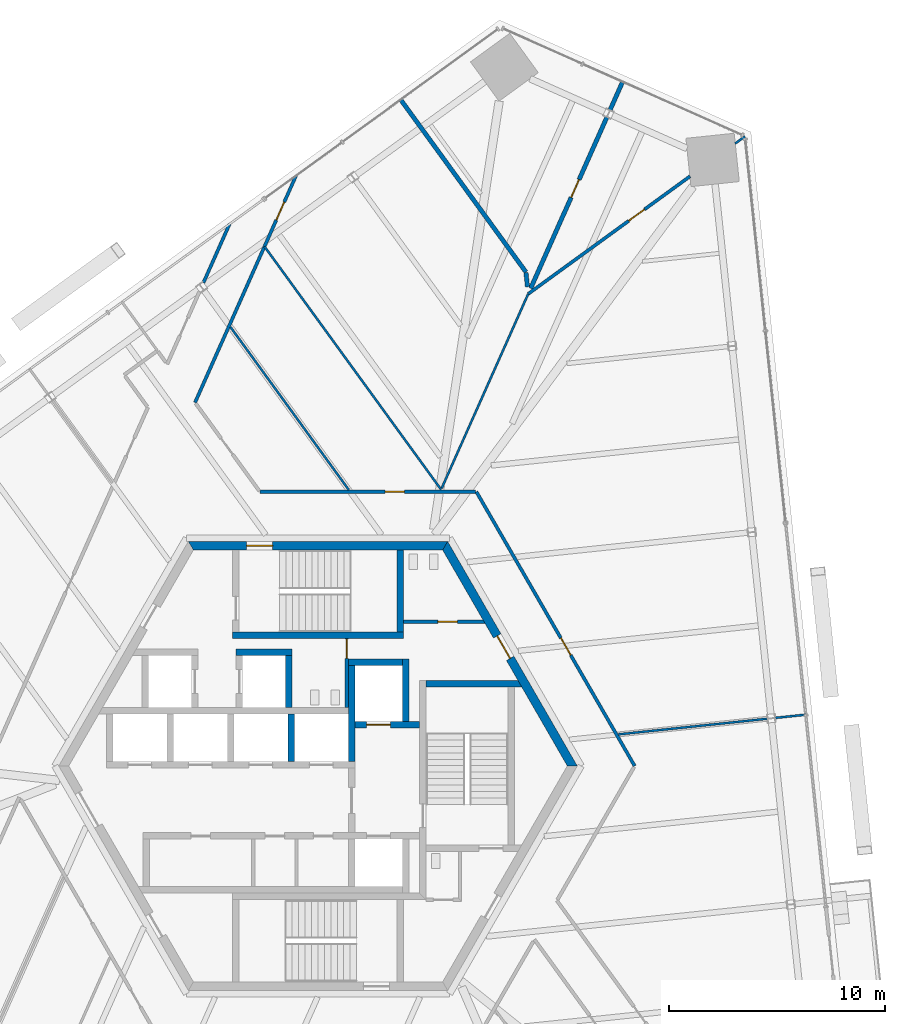
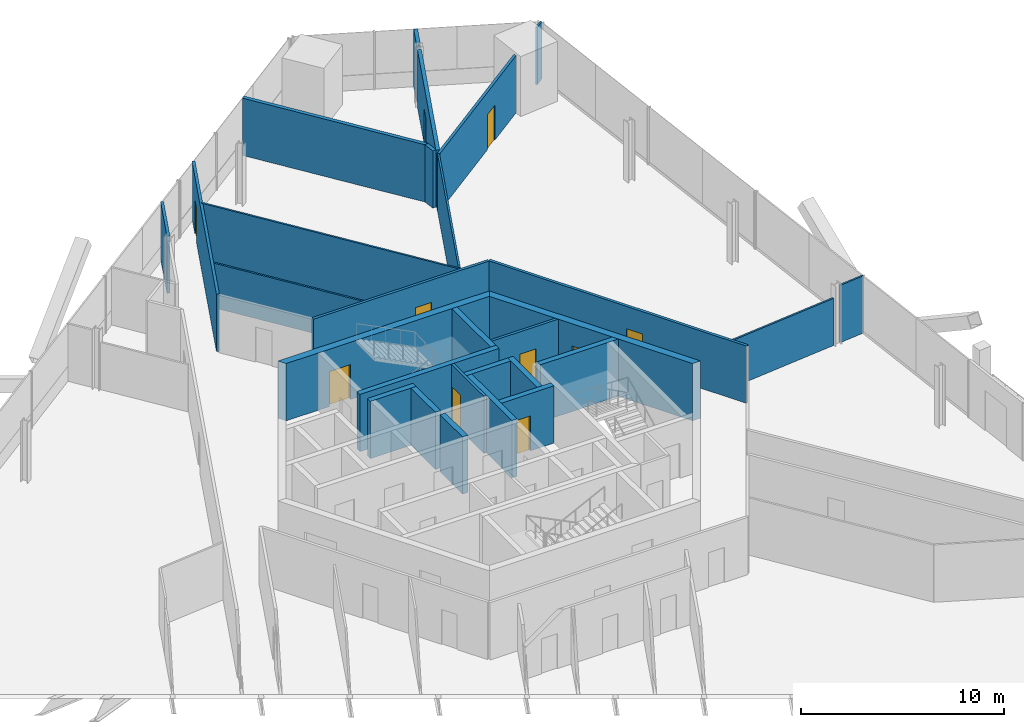
# One storey, part 14 of 19: 29 walls, 10 doors, 10 openings.
"""IFC4 building model written with IfcOpenShell, lengths in metres."""

import ifcopenshell
import ifcopenshell.guid

model = None  # the IFC model being written
_history = None  # IfcOwnerHistory: only IFC2X3 demands one
_inside = {}  # id of a spatial element -> (the spatial element, [elements in it])
_under = {}  # id of a project, library or spatial element -> (it, [spatial elements below it])
_declared = {}  # id of a project -> (the project, [libraries it declares])
_typed = {}  # id of a type object -> (the type object, [elements of that type])
_made_of = {}  # id of a material, layer set ... -> (it, [elements and type objects made of it])


def new_model(schema):
    """Start an empty IFC model of exactly this schema.

    Asked for "IFC4X3", IfcOpenShell would pick the latest addendum, in which some entities
    have other attributes; the version numbers below select the first issue.
    IFC2X3 requires an IfcOwnerHistory on every rooted entity: one is made here for all.
    """
    global model, _history
    if schema == "IFC4X3":
        model = ifcopenshell.file(schema_version=(4, 3, 0, 0))
    else:
        model = ifcopenshell.file(schema=schema)
    _inside.clear()
    _under.clear()
    _declared.clear()
    _typed.clear()
    _made_of.clear()
    _history = None
    if model.schema == "IFC2X3":
        org = make("IfcOrganization", Name="unknown")
        user = make(
            "IfcPersonAndOrganization",
            ThePerson=make("IfcPerson", FamilyName="unknown"),
            TheOrganization=org,
        )
        app = make(
            "IfcApplication",
            ApplicationDeveloper=org,
            Version="unknown",
            ApplicationFullName="unknown",
            ApplicationIdentifier="unknown",
        )
        _history = make(
            "IfcOwnerHistory",
            OwningUser=user,
            OwningApplication=app,
            ChangeAction="ADDED",
            CreationDate=0,
        )
    return model


def make(cls, **values):
    """One entity of the class cls with the attributes given. An attribute that is None is left unset."""
    return model.create_entity(
        cls, **{name: value for name, value in values.items() if value is not None}
    )


def rooted(cls, **values):
    """An entity with a GlobalId (a new one), such as an element, a storey or a relation."""
    return make(cls, GlobalId=ifcopenshell.guid.new(), OwnerHistory=_history, **values)


def si_unit(unit_type, name, prefix=None):
    """IfcSIUnit, for example si_unit("LENGTHUNIT", "METRE", prefix="MILLI")."""
    return make("IfcSIUnit", UnitType=unit_type, Prefix=prefix, Name=name)


def assignment(units):
    """IfcUnitAssignment: the units of a project."""
    return None if units is None else make("IfcUnitAssignment", Units=units)


def point(xyz):
    """IfcCartesianPoint."""
    return None if xyz is None else make("IfcCartesianPoint", Coordinates=xyz)


def direction(xyz):
    """IfcDirection."""
    return None if xyz is None else make("IfcDirection", DirectionRatios=xyz)


def frame(location, z_axis=None, x_axis=None):
    """IfcAxis2Placement3D, a coordinate frame: its origin and axes. An axis left out is left unset."""
    return make(
        "IfcAxis2Placement3D",
        Location=point(location),
        Axis=direction(z_axis),
        RefDirection=direction(x_axis),
    )


def frame_2d(location, x_axis=None):
    """IfcAxis2Placement2D, a coordinate frame in the plane: its origin and x axis."""
    return make(
        "IfcAxis2Placement2D", Location=point(location), RefDirection=direction(x_axis)
    )


def origin():
    """The frame at (0, 0, 0) with its axes left unset."""
    return frame((0.0, 0.0, 0.0))


def place(relative_to, where):
    """IfcLocalPlacement: puts the frame where relative to a parent placement (None: the world)."""
    return make(
        "IfcLocalPlacement", PlacementRelTo=relative_to, RelativePlacement=where
    )


def context(
    kind, dimensions, precision=None, world=None, true_north=None, identifier=None
):
    """IfcGeometricRepresentationContext, for example the 3D "Model" context."""
    return make(
        "IfcGeometricRepresentationContext",
        ContextIdentifier=identifier,
        ContextType=kind,
        CoordinateSpaceDimension=dimensions,
        Precision=precision,
        WorldCoordinateSystem=world,
        TrueNorth=true_north,
    )


def subcontext(parent, identifier, kind, view, scale=None):
    """IfcGeometricRepresentationSubContext, for example "Body" below "Model"."""
    return make(
        "IfcGeometricRepresentationSubContext",
        ContextIdentifier=identifier,
        ContextType=kind,
        ParentContext=parent,
        TargetScale=scale,
        TargetView=view,
    )


def project(units=None, contexts=None):
    """IfcProject with its units and contexts."""
    return rooted(
        "IfcProject",
        Name="project",
        RepresentationContexts=contexts,
        UnitsInContext=assignment(units),
    )


def spatial(cls, under=None, at=None, **own):
    """A site, building, storey or space (cls), placed at a placement, below another one or the project."""
    s = rooted(cls, ObjectPlacement=at, **own)
    if under is not None:
        _under.setdefault(under.id(), (under, []))[1].append(s)
    return s


def polyline(points):
    """IfcPolyline through the points."""
    return make("IfcPolyline", Points=[point(p) for p in points])


def profile(cls, at=None, kind="AREA", **sizes):
    """A parametric profile (cls). Its sizes go by their IFC names, for example OverallWidth=200.0."""
    return make(cls, ProfileType=kind, Position=at, **sizes)


def rectangle(**sizes):
    """IfcRectangleProfileDef."""
    return profile("IfcRectangleProfileDef", **sizes)


def outline(outer, holes=None, kind="AREA"):
    """IfcArbitraryClosedProfileDef: a profile drawn as a closed curve; with holes, ...WithVoids."""
    if holes is None:
        return make("IfcArbitraryClosedProfileDef", ProfileType=kind, OuterCurve=outer)
    return make(
        "IfcArbitraryProfileDefWithVoids",
        ProfileType=kind,
        OuterCurve=outer,
        InnerCurves=holes,
    )


def extrude(swept, where, along, depth):
    """IfcExtrudedAreaSolid: the profile swept, set in the frame where, extruded along a direction by depth."""
    return make(
        "IfcExtrudedAreaSolid",
        SweptArea=swept,
        Position=where,
        ExtrudedDirection=direction(along),
        Depth=depth,
    )


def shape(context_of_items, identifier, shape_type, items):
    """IfcShapeRepresentation: the items that make up one representation, for example the "Body"."""
    return make(
        "IfcShapeRepresentation",
        ContextOfItems=context_of_items,
        RepresentationIdentifier=identifier,
        RepresentationType=shape_type,
        Items=items,
    )


def source(mapping_origin, context_of_items, identifier, shape_type, items):
    """IfcRepresentationMap: a shape defined once, which mapped items show again and again."""
    return make(
        "IfcRepresentationMap",
        MappingOrigin=mapping_origin,
        MappedRepresentation=shape(context_of_items, identifier, shape_type, items),
    )


def transform(
    local_origin,
    x_axis=None,
    y_axis=None,
    z_axis=None,
    scale=None,
    scale2=None,
    scale3=None,
    uniform=True,
):
    """IfcCartesianTransformationOperator3D, or its non-uniform kind. x_axis, y_axis, z_axis: its Axis1, 2, 3."""
    if uniform:
        return make(
            "IfcCartesianTransformationOperator3D",
            Axis1=direction(x_axis),
            Axis2=direction(y_axis),
            LocalOrigin=point(local_origin),
            Scale=scale,
            Axis3=direction(z_axis),
        )
    return make(
        "IfcCartesianTransformationOperator3DnonUniform",
        Axis1=direction(x_axis),
        Axis2=direction(y_axis),
        LocalOrigin=point(local_origin),
        Scale=scale,
        Axis3=direction(z_axis),
        Scale2=scale2,
        Scale3=scale3,
    )


def mapped(mapping_source, mapping_target):
    """IfcMappedItem: shows the shape of a source again, moved by a transform."""
    return make(
        "IfcMappedItem", MappingSource=mapping_source, MappingTarget=mapping_target
    )


def material(Name=None, Category=None):
    """IfcMaterial."""
    return make("IfcMaterial", Name=Name, Category=Category)


def layer(
    of_material, thickness, ventilated=None, Name=None, Category=None, Priority=None
):
    """IfcMaterialLayer: one layer of a wall or slab, of a material (None: an air gap)."""
    return make(
        "IfcMaterialLayer",
        Material=of_material,
        LayerThickness=thickness,
        IsVentilated=ventilated,
        Name=Name,
        Category=Category,
        Priority=Priority,
    )


def layer_set(layers, Name=None):
    """IfcMaterialLayerSet."""
    return make("IfcMaterialLayerSet", MaterialLayers=layers, LayerSetName=Name)


def made_of(thing, what):
    """Note that an element or type object is made of a material, layer set ...; save() writes the relation."""
    if what is not None:
        _made_of.setdefault(what.id(), (what, []))[1].append(thing)
    return thing


def type_object(cls, material=None, **own):
    """A type object (cls), such as IfcWallType, which elements share."""
    return made_of(rooted(cls, **own), material)


def element(
    cls,
    number,
    at=None,
    inside=None,
    cuts=None,
    type_object=None,
    material=None,
    context=None,
    identifier="Body",
    shape_type=None,
    held_by="IfcProductDefinitionShape",
    body=None,
    shapes=None,
    **own,
):
    """One element of the class cls, such as IfcWall. Its Tag is "e" and its number.

    at: its placement. inside: the storey or other place that contains it. cuts: it is an
    opening in that element (IfcRelVoidsElement). A single representation is given by context,
    identifier, shape_type and body (its items); several are given by shapes. held_by: the class
    of the entity that holds the representations. save() writes the other relations.
    """
    e = rooted(cls, Tag="e%d" % number, ObjectPlacement=at, **own)
    if body is not None:
        shapes = [shape(context, identifier, shape_type, body)]
    if shapes is not None:
        e.Representation = make(held_by, Representations=shapes)
    if inside is not None:
        _inside.setdefault(inside.id(), (inside, []))[1].append(e)
    if cuts is not None:
        rooted(
            "IfcRelVoidsElement", RelatingBuildingElement=cuts, RelatedOpeningElement=e
        )
    if type_object is not None:
        _typed.setdefault(type_object.id(), (type_object, []))[1].append(e)
    return made_of(e, material)


def fill(opening, filler):
    """IfcRelFillsElement: the door or window that sits in an opening."""
    return rooted(
        "IfcRelFillsElement",
        RelatingOpeningElement=opening,
        RelatedBuildingElement=filler,
    )


def aggregate(whole, parts):
    """IfcRelAggregates: a whole, such as a stair, and the parts it consists of."""
    return rooted("IfcRelAggregates", RelatingObject=whole, RelatedObjects=parts)


def save(model, path):
    """Write the relations noted so far, then the file.

    IfcRelAggregates (storeys below a building ...), IfcRelContainedInSpatialStructure (elements
    in a storey), IfcRelDefinesByType, IfcRelAssociatesMaterial and IfcRelDeclares: one each for
    every whole, place, type object, material and project.
    """
    for whole, parts in _under.values():
        aggregate(whole, parts)
    for where, things in _inside.values():
        rooted(
            "IfcRelContainedInSpatialStructure",
            RelatedElements=things,
            RelatingStructure=where,
        )
    for kind, things in _typed.values():
        rooted("IfcRelDefinesByType", RelatedObjects=things, RelatingType=kind)
    for what, things in _made_of.values():
        rooted("IfcRelAssociatesMaterial", RelatedObjects=things, RelatingMaterial=what)
    for by, libraries in _declared.values():
        rooted("IfcRelDeclares", RelatingContext=by, RelatedDefinitions=libraries)
    model.write(path)


model = new_model("IFC4")

# Units and contexts
model_context = context("Model", 3, precision=1e-05, world=origin(), true_north=direction((0.0, 1.0)))
body_context = subcontext(model_context, "Body", "Model", "MODEL_VIEW")
ifc_project = project(units=[si_unit("LENGTHUNIT", "METRE"), si_unit("AREAUNIT", "SQUARE_METRE"), si_unit("VOLUMEUNIT", "CUBIC_METRE"), si_unit("PLANEANGLEUNIT", "RADIAN"), si_unit("MASSUNIT", "GRAM", prefix="KILO")], contexts=[model_context])

# Site, building, storey
site_placement = place(None, origin())
site = spatial("IfcSite", under=ifc_project, at=site_placement, CompositionType="ELEMENT")
building_placement = place(site_placement, origin())
building = spatial("IfcBuilding", under=site, at=building_placement, Name="Triune Harvest Tower", CompositionType="ELEMENT")
storey_placement = place(building_placement, frame((0.0, 0.0, 76.5)))
storey = spatial("IfcBuildingStorey", under=building, at=storey_placement, Name="L18", CompositionType="ELEMENT", Elevation=76.5)

# Walls
ifc_material_1 = material(Name="Gypsum board on steel studs", Category="steel")
ifc_layer_1 = layer(ifc_material_1, 0.199951171875)
ifc_layer_set_1 = layer_set([ifc_layer_1], Name="Gypsum board on steel studs")
wall_type_1 = type_object("IfcWallType", Name="Fire Wall 200 mm", PredefinedType="PARTITIONING", material=ifc_layer_set_1)
wall_1_placement = place(storey_placement, frame((9.625, 22.832763671875, 0.0), z_axis=(0.0, 0.0, 1.0), x_axis=(0.104202190023, -0.994556133958, 0.0)))
element("IfcWall", 1, at=wall_1_placement, inside=storey, type_object=wall_type_1, Name="Partition L18 001", PredefinedType="PARTITIONING", context=body_context, shape_type="SweptSolid", body=[
    extrude(rectangle(XDim=0.658447265625, YDim=0.199951171875, at=frame_2d((0.3291015625, 0.0))), origin(), (0.0, 0.0, 1.0), 3.43994140625),
])
wall_2_placement = place(storey_placement, frame((3.827880859375, 30.837158203125, 0.0), z_axis=(0.0, 0.0, 1.0), x_axis=(0.587788735406, -0.809014463733, 0.0)))
element("IfcWall", 2, at=wall_2_placement, inside=storey, type_object=wall_type_1, Name="Partition L18 017", PredefinedType="PARTITIONING", context=body_context, shape_type="SweptSolid", body=[
    extrude(rectangle(XDim=9.857177734375, YDim=0.199951171875, at=frame_2d((4.9287109375, 0.0))), origin(), (0.0, 0.0, 1.0), 3.43994140625),
])
ifc_material_2 = material(Name="Gypsum board on steel studs", Category="steel")
ifc_layer_2 = layer(ifc_material_2, 0.10009765625)
ifc_layer_set_2 = layer_set([ifc_layer_2], Name="Gypsum board on steel studs")
wall_type_2 = type_object("IfcWallType", Name="Partition 100 mm", PredefinedType="PARTITIONING", material=ifc_layer_set_2)
wall_3_placement = place(storey_placement, frame((-2.478515625, 24.043212890625, 0.0), z_axis=(0.0, 0.0, 1.0), x_axis=(0.587782272632, -0.809019159216, 0.0)))
element("IfcWall", 3, at=wall_3_placement, inside=storey, type_object=wall_type_2, Name="Partition L18 016", PredefinedType="PARTITIONING", context=body_context, shape_type="SweptSolid", body=[
    extrude(rectangle(XDim=13.90673828125, YDim=0.10009765625, at=frame_2d((6.953369140625, 0.0))), origin(), (0.0, 0.0, 1.0), 3.43994140625),
])
wall_4_placement = place(storey_placement, frame((5.72412109375, 12.856201171875, 0.0), z_axis=(0.0, 0.0, 1.0), x_axis=(0.406729724046, 0.913548538162, 0.0)))
element("IfcWall", 4, at=wall_4_placement, inside=storey, type_object=wall_type_2, Name="Partition L18 038", PredefinedType="PARTITIONING", context=body_context, shape_type="SweptSolid", body=[
    extrude(rectangle(XDim=9.8447265625, YDim=0.10009765625, at=frame_2d((4.92236328125, 0.0))), origin(), (0.0, 0.0, 1.0), 3.43994140625),
])

# Wall, opening, door
ifc_material_3 = material(Name="Concrete 70 MPa", Category="concrete")
ifc_layer_3 = layer(ifc_material_3, 0.39990234375)
ifc_layer_set_3 = layer_set([ifc_layer_3], Name="Concrete 70 MPa")
wall_type_3 = type_object("IfcWallType", Name="Core wall 400", PredefinedType="SHEAR", material=ifc_layer_set_3)
shared_shape_1 = source(origin(), body_context, "Body", "SweptSolid", [
    extrude(outline(polyline([(-0.115478515625, -0.199951171875), (11.884521484375, -0.199951171875), (11.653564453125, 0.199951171875), (0.115478515625, 0.199951171875), (-0.115478515625, -0.199951171875)])), origin(), (0.0, 0.0, 1.0), 3.43994140625),
])
wall_5_placement = place(storey_placement, frame((11.76904296875, 0.0, 0.0), z_axis=(0.0, 0.0, 1.0), x_axis=(-0.499996592174, 0.866027371285, 0.0)))
wall_5 = element("IfcWall", 5, at=wall_5_placement, inside=storey, type_object=wall_type_3, Name="Hexagon 0 wall", PredefinedType="SHEAR", context=body_context, shape_type="MappedRepresentation", body=[
    mapped(shared_shape_1, transform((0.0, 0.0, 0.0), scale=1.0)),
])
opening_1_placement = place(wall_5_placement, frame((5.75048828125, 0.0, 0.0)))
opening_1 = element("IfcOpeningElement", 6, at=opening_1_placement, cuts=wall_5, Name="Opening CD-WCP", PredefinedType="OPENING", context=body_context, shape_type="SweptSolid", body=[
    extrude(rectangle(XDim=1.199951171875, YDim=2.10009765625, at=frame_2d((0.60009765625, 1.050048828125))), frame((0.0, 0.2099609375, 0.0), z_axis=(0.0, -1.0, 0.0), x_axis=(1.0, 0.0, 0.0)), (0.0, 0.0, 1.0), 0.419921875),
])
ifc_material_4 = material(Name="Steel S235", Category="steel")
door_type_1 = type_object("IfcDoorType", Name="Lobby door 1200 FD120", OperationType="SINGLE_SWING_LEFT", PredefinedType="DOOR", material=ifc_material_4)
door_1_placement = place(opening_1_placement, frame((1.199951171875, 0.0, 0.0), z_axis=(0.0, 0.0, 1.0), x_axis=(-1.0, 0.0, 0.0)))
door_1 = element("IfcDoor", 7, at=door_1_placement, inside=storey, type_object=door_type_1, Name="Door CD-WCP", OperationType="SINGLE_SWING_RIGHT", OverallHeight=2.10009765625, OverallWidth=1.199951171875, PredefinedType="DOOR", context=body_context, shape_type="SweptSolid", body=[
    extrude(rectangle(XDim=1.199951171875, YDim=2.10009765625, at=frame_2d((0.60009765625, 1.050048828125))), frame((0.0, 0.02490234375, 0.0), z_axis=(0.0, -1.0, 0.0), x_axis=(1.0, 0.0, 0.0)), (0.0, 0.0, 1.0), 0.050048828125),
])
fill(opening_1, door_1)

wall_6_placement = place(storey_placement, frame((5.884521484375, 10.1923828125, 0.0), z_axis=(0.0, 0.0, 1.0), x_axis=(-1.0, 0.0, 0.0)))
wall_6 = element("IfcWall", 8, at=wall_6_placement, inside=storey, type_object=wall_type_3, Name="Hexagon 1 wall", PredefinedType="SHEAR", context=body_context, shape_type="MappedRepresentation", body=[
    mapped(shared_shape_1, transform((0.0, 0.0, 0.0), scale=1.0)),
])
opening_2_placement = place(wall_6_placement, frame((7.984619140625, 0.0, 0.0)))
opening_2 = element("IfcOpeningElement", 9, at=opening_2_placement, cuts=wall_6, Name="Opening CD-S1P", PredefinedType="OPENING", context=body_context, shape_type="SweptSolid", body=[
    extrude(rectangle(XDim=1.199951171875, YDim=2.10009765625, at=frame_2d((0.60009765625, 1.050048828125))), frame((0.0, 0.2099609375, 0.0), z_axis=(0.0, -1.0, 0.0), x_axis=(1.0, 0.0, 0.0)), (0.0, 0.0, 1.0), 0.419921875),
])
ifc_material_5 = material(Name="Steel S235", Category="steel")
door_type_2 = type_object("IfcDoorType", Name="Stair door 1200 FD120", OperationType="SINGLE_SWING_LEFT", PredefinedType="DOOR", material=ifc_material_5)
door_2_placement = place(opening_2_placement, frame((1.199951171875, 0.0, 0.0), z_axis=(0.0, 0.0, 1.0), x_axis=(-1.0, 0.0, 0.0)))
door_2 = element("IfcDoor", 10, at=door_2_placement, inside=storey, type_object=door_type_2, Name="Door CD-S1P", OperationType="SINGLE_SWING_RIGHT", OverallHeight=2.10009765625, OverallWidth=1.199951171875, PredefinedType="DOOR", context=body_context, shape_type="SweptSolid", body=[
    extrude(rectangle(XDim=1.199951171875, YDim=2.10009765625, at=frame_2d((0.60009765625, 1.050048828125))), frame((0.0, 0.02490234375, 0.0), z_axis=(0.0, -1.0, 0.0), x_axis=(1.0, 0.0, 0.0)), (0.0, 0.0, 1.0), 0.050048828125),
])
fill(opening_2, door_2)

# Walls
ifc_material_6 = material(Name="Concrete 70 MPa", Category="concrete")
ifc_layer_4 = layer(ifc_material_6, 0.300048828125)
ifc_layer_set_4 = layer_set([ifc_layer_4], Name="Concrete 70 MPa")
wall_type_4 = type_object("IfcWallType", Name="Core wall 300", PredefinedType="SHEAR", material=ifc_layer_set_4)
shared_shape_2 = source(origin(), body_context, "Body", "SweptSolid", [
    extrude(rectangle(XDim=2.5, YDim=0.300048828125, at=frame_2d((1.25, 0.0))), origin(), (0.0, 0.0, 1.0), 3.43994140625),
])
wall_7_placement = place(storey_placement, frame((1.39990234375, 4.81005859375, 0.0), z_axis=(0.0, 0.0, 1.0), x_axis=(1.0, 0.0, 0.0)))
element("IfcWall", 11, at=wall_7_placement, inside=storey, type_object=wall_type_4, Name="Ff1 back wall", PredefinedType="SHEAR", context=body_context, shape_type="MappedRepresentation", body=[
    mapped(shared_shape_2, transform((0.0, 0.0, 0.0), scale=1.0)),
])
shared_shape_3 = source(origin(), body_context, "Body", "SweptSolid", [
    extrude(rectangle(XDim=4.449951171875, YDim=0.300048828125, at=frame_2d((2.22509765625, 0.0))), origin(), (0.0, 0.0, 1.0), 3.43994140625),
])
wall_8_placement = place(storey_placement, frame((1.550048828125, 0.2099609375, 0.0), z_axis=(0.0, 0.0, 1.0), x_axis=(0.0, 1.0, 0.0)))
element("IfcWall", 12, at=wall_8_placement, inside=storey, type_object=wall_type_4, Name="Ff1 west wall", PredefinedType="SHEAR", context=body_context, shape_type="MappedRepresentation", body=[
    mapped(shared_shape_3, transform((0.0, 0.0, 0.0), scale=1.0)),
])

# Wall, opening, door
shared_shape_4 = source(origin(), body_context, "Body", "SweptSolid", [
    extrude(rectangle(XDim=3.0, YDim=0.300048828125, at=frame_2d((1.5, 0.0))), origin(), (0.0, 0.0, 1.0), 3.43994140625),
])
wall_9_placement = place(storey_placement, frame((1.699951171875, 1.909912109375, 0.0), z_axis=(0.0, 0.0, 1.0), x_axis=(1.0, 0.0, 0.0)))
wall_9 = element("IfcWall", 13, at=wall_9_placement, inside=storey, type_object=wall_type_4, Name="Ff1 front wall", PredefinedType="SHEAR", context=body_context, shape_type="MappedRepresentation", body=[
    mapped(shared_shape_4, transform((0.0, 0.0, 0.0), scale=1.0)),
])
opening_3_placement = place(wall_9_placement, frame((0.550048828125, 0.0, 0.0)))
opening_3 = element("IfcOpeningElement", 14, at=opening_3_placement, cuts=wall_9, Name="Opening LD-FF1-18", PredefinedType="OPENING", context=body_context, shape_type="SweptSolid", body=[
    extrude(rectangle(XDim=1.10009765625, YDim=2.10009765625, at=frame_2d((0.550048828125, 1.050048828125))), frame((0.0, 0.16015625, 0.0), z_axis=(0.0, -1.0, 0.0), x_axis=(1.0, 0.0, 0.0)), (0.0, 0.0, 1.0), 0.320068359375),
])
ifc_material_7 = material(Name="Stainless steel AISI 304", Category="steel")
door_type_3 = type_object("IfcDoorType", Name="Landing door 1100 x 2100", OperationType="DOUBLE_DOOR_SLIDING", PredefinedType="DOOR", material=ifc_material_7)
door_3_placement = place(opening_3_placement, origin())
door_3 = element("IfcDoor", 15, at=door_3_placement, inside=storey, type_object=door_type_3, Name="Door LD-FF1-18", OperationType="DOUBLE_DOOR_SLIDING", OverallHeight=2.10009765625, OverallWidth=1.10009765625, PredefinedType="DOOR", context=body_context, shape_type="SweptSolid", body=[
    extrude(rectangle(XDim=1.10009765625, YDim=2.10009765625, at=frame_2d((0.550048828125, 1.050048828125))), frame((0.0, 0.02490234375, 0.0), z_axis=(0.0, -1.0, 0.0), x_axis=(1.0, 0.0, 0.0)), (0.0, 0.0, 1.0), 0.050048828125),
])
fill(opening_3, door_3)

# Walls
shared_shape_5 = source(origin(), body_context, "Body", "SweptSolid", [
    extrude(rectangle(XDim=2.89990234375, YDim=0.300048828125, at=frame_2d((1.449951171875, 0.0))), origin(), (0.0, 0.0, 1.0), 3.43994140625),
])
wall_10_placement = place(storey_placement, frame((4.050048828125, 2.06005859375, 0.0), z_axis=(0.0, 0.0, 1.0), x_axis=(0.0, 1.0, 0.0)))
element("IfcWall", 16, at=wall_10_placement, inside=storey, type_object=wall_type_4, Name="Ff1 east wall", PredefinedType="SHEAR", context=body_context, shape_type="MappedRepresentation", body=[
    mapped(shared_shape_5, transform((0.0, 0.0, 0.0), scale=1.0)),
])
shared_shape_6 = source(origin(), body_context, "Body", "SweptSolid", [
    extrude(rectangle(XDim=2.199951171875, YDim=0.300048828125, at=frame_2d((1.10009765625, 0.0))), origin(), (0.0, 0.0, 1.0), 3.43994140625),
])
wall_11_placement = place(storey_placement, frame((-1.25, 0.2099609375, 0.0), z_axis=(0.0, 0.0, 1.0), x_axis=(0.0, 1.0, 0.0)))
element("IfcWall", 17, at=wall_11_placement, inside=storey, type_object=wall_type_4, Name="North cross 3 wall", PredefinedType="SHEAR", context=body_context, shape_type="MappedRepresentation", body=[
    mapped(shared_shape_6, transform((0.0, 0.0, 0.0), scale=1.0)),
])
shared_shape_7 = source(origin(), body_context, "Body", "SweptSolid", [
    extrude(outline(polyline([(0.0, -0.14990234375), (0.0, 0.14990234375), (4.260009765625, 0.14990234375), (4.43310546875, -0.14990234375), (0.0, -0.14990234375)])), origin(), (0.0, 0.0, 1.0), 3.43994140625),
])
wall_12_placement = place(storey_placement, frame((5.0, 3.800048828125, 0.0), z_axis=(0.0, 0.0, 1.0), x_axis=(1.0, 0.0, 0.0)))
element("IfcWall", 18, at=wall_12_placement, inside=storey, type_object=wall_type_4, Name="Stair e north wall", PredefinedType="SHEAR", context=body_context, shape_type="MappedRepresentation", body=[
    mapped(shared_shape_7, transform((0.0, 0.0, 0.0), scale=1.0)),
])
shared_shape_8 = source(origin(), body_context, "Body", "SweptSolid", [
    extrude(rectangle(XDim=7.89990234375, YDim=0.300048828125, at=frame_2d((3.949951171875, 0.0))), origin(), (0.0, 0.0, 1.0), 3.43994140625),
])
wall_13_placement = place(storey_placement, frame((-3.949951171875, 6.0400390625, 0.0), z_axis=(0.0, 0.0, 1.0), x_axis=(1.0, 0.0, 0.0)))
element("IfcWall", 19, at=wall_13_placement, inside=storey, type_object=wall_type_4, Name="Stair n south wall", PredefinedType="SHEAR", context=body_context, shape_type="MappedRepresentation", body=[
    mapped(shared_shape_8, transform((0.0, 0.0, 0.0), scale=1.0)),
])
shared_shape_9 = source(origin(), body_context, "Body", "SweptSolid", [
    extrude(outline(polyline([(0.0, -0.14990234375), (0.0, 0.14990234375), (3.80419921875, 0.14990234375), (3.80419921875, -0.14990234375), (0.0, -0.14990234375)])), origin(), (0.0, 0.0, 1.0), 3.43994140625),
])
wall_14_placement = place(storey_placement, frame((3.800048828125, 6.18994140625, 0.0), z_axis=(0.0, 0.0, 1.0), x_axis=(0.0, 1.0, 0.0)))
element("IfcWall", 20, at=wall_14_placement, inside=storey, type_object=wall_type_4, Name="Stair n east wall", PredefinedType="SHEAR", context=body_context, shape_type="MappedRepresentation", body=[
    mapped(shared_shape_9, transform((0.0, 0.0, 0.0), scale=1.0)),
])
shared_shape_10 = source(origin(), body_context, "Body", "SweptSolid", [
    extrude(rectangle(XDim=2.400146484375, YDim=0.300048828125, at=frame_2d((1.2001953125, 0.0))), origin(), (0.0, 0.0, 1.0), 3.43994140625),
])
wall_15_placement = place(storey_placement, frame((-1.35009765625, 2.7099609375, 0.0), z_axis=(0.0, 0.0, 1.0), x_axis=(0.0, 1.0, 0.0)))
element("IfcWall", 21, at=wall_15_placement, inside=storey, type_object=wall_type_4, Name="Sv2 east wall", PredefinedType="SHEAR", context=body_context, shape_type="MappedRepresentation", body=[
    mapped(shared_shape_10, transform((0.0, 0.0, 0.0), scale=1.0)),
])
shared_shape_11 = source(origin(), body_context, "Body", "SweptSolid", [
    extrude(rectangle(XDim=2.60009765625, YDim=0.300048828125, at=frame_2d((1.300048828125, 0.0))), origin(), (0.0, 0.0, 1.0), 3.43994140625),
])
wall_16_placement = place(storey_placement, frame((-3.800048828125, 5.260009765625, 0.0), z_axis=(0.0, 0.0, 1.0), x_axis=(1.0, 0.0, 0.0)))
element("IfcWall", 22, at=wall_16_placement, inside=storey, type_object=wall_type_4, Name="Sv2 north wall", PredefinedType="SHEAR", context=body_context, shape_type="MappedRepresentation", body=[
    mapped(shared_shape_11, transform((0.0, 0.0, 0.0), scale=1.0)),
])

# Wall, opening, door
ifc_material_8 = material(Name="Concrete masonry unit", Category="masonry")
ifc_layer_5 = layer(ifc_material_8, 0.14990234375)
ifc_layer_set_5 = layer_set([ifc_layer_5], Name="Concrete masonry unit")
wall_type_5 = type_object("IfcWallType", Name="Block partition 150 unrated", PredefinedType="PARTITIONING", material=ifc_layer_set_5)
shared_shape_12 = source(origin(), body_context, "Body", "SweptSolid", [
    extrude(rectangle(XDim=3.179931640625, YDim=0.14990234375, at=frame_2d((1.58984375, 0.0))), origin(), (0.0, 0.0, 1.0), 3.43994140625),
])
wall_17_placement = place(storey_placement, frame((1.324951171875, 2.7099609375, 0.0), z_axis=(0.0, 0.0, 1.0), x_axis=(0.0, 1.0, 0.0)))
wall_17 = element("IfcWall", 23, at=wall_17_placement, inside=storey, type_object=wall_type_5, Name="Wc men east wall", PredefinedType="PARTITIONING", context=body_context, shape_type="MappedRepresentation", body=[
    mapped(shared_shape_12, transform((0.0, 0.0, 0.0), scale=1.0)),
])
opening_4_placement = place(wall_17_placement, frame((2.264892578125, 0.0, 0.0)))
opening_4 = element("IfcOpeningElement", 24, at=opening_4_placement, cuts=wall_17, Name="Opening CD-WM", PredefinedType="OPENING", context=body_context, shape_type="SweptSolid", body=[
    extrude(rectangle(XDim=0.89990234375, YDim=2.10009765625, at=frame_2d((0.449951171875, 1.050048828125))), frame((0.0, 0.0849609375, 0.0), z_axis=(0.0, -1.0, 0.0), x_axis=(1.0, 0.0, 0.0)), (0.0, 0.0, 1.0), 0.169921875),
])
ifc_material_9 = material(Name="Timber C24", Category="wood")
door_type_4 = type_object("IfcDoorType", Name="WC door 900", OperationType="SINGLE_SWING_LEFT", PredefinedType="DOOR", material=ifc_material_9)
door_4_placement = place(opening_4_placement, origin())
door_4 = element("IfcDoor", 25, at=door_4_placement, inside=storey, type_object=door_type_4, Name="Door CD-WM", OperationType="SINGLE_SWING_LEFT", OverallHeight=2.10009765625, OverallWidth=0.89990234375, PredefinedType="DOOR", context=body_context, shape_type="SweptSolid", body=[
    extrude(rectangle(XDim=0.89990234375, YDim=2.10009765625, at=frame_2d((0.449951171875, 1.050048828125))), frame((0.0, 0.02490234375, 0.0), z_axis=(0.0, -1.0, 0.0), x_axis=(1.0, 0.0, 0.0)), (0.0, 0.0, 1.0), 0.050048828125),
])
fill(opening_4, door_4)

shared_shape_13 = source(origin(), body_context, "Body", "SweptSolid", [
    extrude(outline(polyline([(0.0, -0.074951171875), (0.0, 0.074951171875), (3.693359375, 0.074951171875), (3.77978515625, -0.074951171875), (0.0, -0.074951171875)])), origin(), (0.0, 0.0, 1.0), 3.43994140625),
])
wall_18_placement = place(storey_placement, frame((3.949951171875, 6.675048828125, 0.0), z_axis=(0.0, 0.0, 1.0), x_axis=(1.0, 0.0, 0.0)))
wall_18 = element("IfcWall", 26, at=wall_18_placement, inside=storey, type_object=wall_type_5, Name="Wc women south wall", PredefinedType="PARTITIONING", context=body_context, shape_type="MappedRepresentation", body=[
    mapped(shared_shape_13, transform((0.0, 0.0, 0.0), scale=1.0)),
])
opening_5_placement = place(wall_18_placement, frame((1.60009765625, 0.0, 0.0)))
opening_5 = element("IfcOpeningElement", 27, at=opening_5_placement, cuts=wall_18, Name="Opening CD-WW", PredefinedType="OPENING", context=body_context, shape_type="SweptSolid", body=[
    extrude(rectangle(XDim=0.89990234375, YDim=2.10009765625, at=frame_2d((0.449951171875, 1.050048828125))), frame((0.0, 0.0849609375, 0.0), z_axis=(0.0, -1.0, 0.0), x_axis=(1.0, 0.0, 0.0)), (0.0, 0.0, 1.0), 0.169921875),
])
door_5_placement = place(opening_5_placement, origin())
door_5 = element("IfcDoor", 28, at=door_5_placement, inside=storey, type_object=door_type_4, Name="Door CD-WW", OperationType="SINGLE_SWING_LEFT", OverallHeight=2.10009765625, OverallWidth=0.89990234375, PredefinedType="DOOR", context=body_context, shape_type="SweptSolid", body=[
    extrude(rectangle(XDim=0.89990234375, YDim=2.10009765625, at=frame_2d((0.449951171875, 1.050048828125))), frame((0.0, 0.02490234375, 0.0), z_axis=(0.0, -1.0, 0.0), x_axis=(1.0, 0.0, 0.0)), (0.0, 0.0, 1.0), 0.050048828125),
])
fill(opening_5, door_5)

# Wall
shared_shape_14 = source(origin(), body_context, "Body", "SweptSolid", [
    extrude(rectangle(XDim=1.41845703125, YDim=0.10009765625, at=frame_2d((0.709228515625, 0.0))), origin(), (0.0, 0.0, 1.0), 3.43994140625),
])
wall_19_placement = place(storey_placement, frame((21.162841796875, 2.224365234375, 0.0), z_axis=(0.0, 0.0, 1.0), x_axis=(0.994527123793, 0.104478706151, 0.0)))
element("IfcWall", 29, at=wall_19_placement, inside=storey, type_object=wall_type_2, Name="Partition L18 025", PredefinedType="PARTITIONING", context=body_context, shape_type="MappedRepresentation", body=[
    mapped(shared_shape_14, transform((0.0, 0.0, 0.0), scale=1.0)),
])

# Wall, opening, door
ifc_material_10 = material(Name="Gypsum board on steel studs", Category="steel")
ifc_layer_6 = layer(ifc_material_10, 0.14990234375)
ifc_layer_set_6 = layer_set([ifc_layer_6], Name="Gypsum board on steel studs")
wall_type_6 = type_object("IfcWallType", Name="Fire Partition 150 mm", PredefinedType="PARTITIONING", material=ifc_layer_set_6)
shared_shape_15 = source(origin(), body_context, "Body", "SweptSolid", [
    extrude(rectangle(XDim=14.65576171875, YDim=0.14990234375, at=frame_2d((7.327880859375, 0.0))), origin(), (0.0, 0.0, 1.0), 3.43994140625),
])
wall_20_placement = place(storey_placement, frame((7.327880859375, 12.6923828125, 0.0), z_axis=(0.0, 0.0, 1.0), x_axis=(0.499996429374, -0.866027465277, 0.0)))
wall_20 = element("IfcWall", 30, at=wall_20_placement, inside=storey, type_object=wall_type_6, Name="Partition L18 004", PredefinedType="PARTITIONING", context=body_context, shape_type="MappedRepresentation", body=[
    mapped(shared_shape_15, transform((0.0, 0.0, 0.0), scale=1.0)),
])
opening_6_placement = place(wall_20_placement, frame((7.828857421875, 0.0, 0.0)))
opening_6 = element("IfcOpeningElement", 31, at=opening_6_placement, cuts=wall_20, Name="Opening L18-003", PredefinedType="OPENING", context=body_context, shape_type="SweptSolid", body=[
    extrude(rectangle(XDim=0.89990234375, YDim=2.10009765625, at=frame_2d((0.449951171875, 1.050048828125))), frame((0.0, 0.0849609375, 0.0), z_axis=(0.0, -1.0, 0.0), x_axis=(1.0, 0.0, 0.0)), (0.0, 0.0, 1.0), 0.169921875),
])
ifc_material_11 = material(Name="Timber and steel door set", Category="steel")
door_type_5 = type_object("IfcDoorType", Name="Single leaf door FD30 right hand 900 x 2100", OperationType="SINGLE_SWING_RIGHT", PredefinedType="DOOR", material=ifc_material_11)
door_6_placement = place(opening_6_placement, origin())
door_6 = element("IfcDoor", 32, at=door_6_placement, inside=storey, type_object=door_type_5, Name="Door L18-003 Food Laboratory 18.03", OperationType="SINGLE_SWING_RIGHT", OverallHeight=2.10009765625, OverallWidth=0.89990234375, PredefinedType="DOOR", context=body_context, shape_type="SweptSolid", body=[
    extrude(rectangle(XDim=0.89990234375, YDim=2.10009765625, at=frame_2d((0.449951171875, 1.050048828125))), frame((0.0, 0.02490234375, 0.0), z_axis=(0.0, -1.0, 0.0), x_axis=(1.0, 0.0, 0.0)), (0.0, 0.0, 1.0), 0.050048828125),
])
fill(opening_6, door_6)

shared_shape_16 = source(origin(), body_context, "Body", "SweptSolid", [
    extrude(rectangle(XDim=9.971435546875, YDim=0.14990234375, at=frame_2d((4.98583984375, 0.0))), origin(), (0.0, 0.0, 1.0), 3.43994140625),
])
wall_21_placement = place(storey_placement, frame((-2.693603515625, 12.6923828125, 0.0), z_axis=(0.0, 0.0, 1.0), x_axis=(1.0, 0.0, 0.0)))
wall_21 = element("IfcWall", 33, at=wall_21_placement, inside=storey, type_object=wall_type_6, Name="Partition L18 022", PredefinedType="PARTITIONING", context=body_context, shape_type="MappedRepresentation", body=[
    mapped(shared_shape_16, transform((0.0, 0.0, 0.0), scale=1.0)),
])
opening_7_placement = place(wall_21_placement, frame((5.794677734375, 0.0, 0.0)))
opening_7 = element("IfcOpeningElement", 34, at=opening_7_placement, cuts=wall_21, Name="Opening L18-006", PredefinedType="OPENING", context=body_context, shape_type="SweptSolid", body=[
    extrude(rectangle(XDim=0.89990234375, YDim=2.10009765625, at=frame_2d((0.449951171875, 1.050048828125))), frame((0.0, 0.0849609375, 0.0), z_axis=(0.0, -1.0, 0.0), x_axis=(1.0, 0.0, 0.0)), (0.0, 0.0, 1.0), 0.169921875),
])
door_7_placement = place(opening_7_placement, origin())
door_7 = element("IfcDoor", 35, at=door_7_placement, inside=storey, type_object=door_type_5, Name="Door L18-006 Meeting Room 18.06", OperationType="SINGLE_SWING_RIGHT", OverallHeight=2.10009765625, OverallWidth=0.89990234375, PredefinedType="DOOR", context=body_context, shape_type="SweptSolid", body=[
    extrude(rectangle(XDim=0.89990234375, YDim=2.10009765625, at=frame_2d((0.449951171875, 1.050048828125))), frame((0.0, 0.02490234375, 0.0), z_axis=(0.0, -1.0, 0.0), x_axis=(1.0, 0.0, 0.0)), (0.0, 0.0, 1.0), 0.050048828125),
])
fill(opening_7, door_7)

shared_shape_17 = source(origin(), body_context, "Body", "SweptSolid", [
    extrude(rectangle(XDim=9.249267578125, YDim=0.14990234375, at=frame_2d((4.62451171875, 0.0))), origin(), (0.0, 0.0, 1.0), 3.43994140625),
])
wall_22_placement = place(storey_placement, frame((9.736328125, 21.855712890625, 0.0), z_axis=(0.0, 0.0, 1.0), x_axis=(0.809001956187, 0.587805950025, 0.0)))
wall_22 = element("IfcWall", 36, at=wall_22_placement, inside=storey, type_object=wall_type_6, Name="Partition L18 027", PredefinedType="PARTITIONING", context=body_context, shape_type="MappedRepresentation", body=[
    mapped(shared_shape_17, transform((0.0, 0.0, 0.0), scale=1.0)),
])
opening_8_placement = place(wall_22_placement, frame((5.740234375, 0.0, 0.0)))
opening_8 = element("IfcOpeningElement", 37, at=opening_8_placement, cuts=wall_22, Name="Opening L18-004", PredefinedType="OPENING", context=body_context, shape_type="SweptSolid", body=[
    extrude(rectangle(XDim=0.89990234375, YDim=2.10009765625, at=frame_2d((0.449951171875, 1.050048828125))), frame((0.0, 0.0849609375, 0.0), z_axis=(0.0, -1.0, 0.0), x_axis=(1.0, 0.0, 0.0)), (0.0, 0.0, 1.0), 0.169921875),
])
door_8_placement = place(opening_8_placement, origin())
door_8 = element("IfcDoor", 38, at=door_8_placement, inside=storey, type_object=door_type_5, Name="Door L18-004 Specimen Store 18.04", OperationType="SINGLE_SWING_RIGHT", OverallHeight=2.10009765625, OverallWidth=0.89990234375, PredefinedType="DOOR", context=body_context, shape_type="SweptSolid", body=[
    extrude(rectangle(XDim=0.89990234375, YDim=2.10009765625, at=frame_2d((0.449951171875, 1.050048828125))), frame((0.0, 0.02490234375, 0.0), z_axis=(0.0, -1.0, 0.0), x_axis=(1.0, 0.0, 0.0)), (0.0, 0.0, 1.0), 0.050048828125),
])
fill(opening_8, door_8)

# Wall
shared_shape_18 = source(origin(), body_context, "Body", "SweptSolid", [
    extrude(rectangle(XDim=0.566162109375, YDim=0.10009765625, at=frame_2d((0.283203125, 0.0))), origin(), (0.0, 0.0, 1.0), 3.43994140625),
])
wall_23_placement = place(storey_placement, frame((19.30224609375, 28.805908203125, 0.0), z_axis=(0.0, 0.0, 1.0), x_axis=(0.809015719363, 0.587787007192, 0.0)))
element("IfcWall", 39, at=wall_23_placement, inside=storey, type_object=wall_type_2, Name="Partition L18 028", PredefinedType="PARTITIONING", context=body_context, shape_type="MappedRepresentation", body=[
    mapped(shared_shape_18, transform((0.0, 0.0, 0.0), scale=1.0)),
])

# Wall, opening, door
shared_shape_19 = source(origin(), body_context, "Body", "SweptSolid", [
    extrude(rectangle(XDim=8.666748046875, YDim=0.199951171875, at=frame_2d((4.33349609375, 0.0))), origin(), (0.0, 0.0, 1.0), 3.43994140625),
])
wall_24_placement = place(storey_placement, frame((9.842041015625, 22.105712890625, 0.0), z_axis=(0.0, 0.0, 1.0), x_axis=(0.406742138059, 0.913543011099, 0.0)))
wall_24 = element("IfcWall", 40, at=wall_24_placement, inside=storey, type_object=wall_type_1, Name="Partition L18 039", PredefinedType="PARTITIONING", context=body_context, shape_type="MappedRepresentation", body=[
    mapped(shared_shape_19, transform((0.0, 0.0, 0.0), scale=1.0)),
])
opening_9_placement = place(wall_24_placement, frame((4.60888671875, 0.0, 0.0)))
opening_9 = element("IfcOpeningElement", 41, at=opening_9_placement, cuts=wall_24, Name="Opening L18-005", PredefinedType="OPENING", context=body_context, shape_type="SweptSolid", body=[
    extrude(rectangle(XDim=0.89990234375, YDim=2.10009765625, at=frame_2d((0.449951171875, 1.050048828125))), frame((0.0, 0.10986328125, 0.0), z_axis=(0.0, -1.0, 0.0), x_axis=(1.0, 0.0, 0.0)), (0.0, 0.0, 1.0), 0.219970703125),
])
ifc_material_12 = material(Name="Timber and steel door set", Category="steel")
door_type_6 = type_object("IfcDoorType", Name="Single leaf door FD60 right hand 900 x 2100", OperationType="SINGLE_SWING_RIGHT", PredefinedType="DOOR", material=ifc_material_12)
door_9_placement = place(opening_9_placement, origin())
door_9 = element("IfcDoor", 42, at=door_9_placement, inside=storey, type_object=door_type_6, Name="Door L18-005 Commercial Trial Kitchen 18.05", OperationType="SINGLE_SWING_RIGHT", OverallHeight=2.10009765625, OverallWidth=0.89990234375, PredefinedType="DOOR", context=body_context, shape_type="SweptSolid", body=[
    extrude(rectangle(XDim=0.89990234375, YDim=2.10009765625, at=frame_2d((0.449951171875, 1.050048828125))), frame((0.0, 0.02490234375, 0.0), z_axis=(0.0, -1.0, 0.0), x_axis=(1.0, 0.0, 0.0)), (0.0, 0.0, 1.0), 0.050048828125),
])
fill(opening_9, door_9)

shared_shape_20 = source(origin(), body_context, "Body", "SweptSolid", [
    extrude(rectangle(XDim=11.48486328125, YDim=0.14990234375, at=frame_2d((5.742431640625, 0.0))), origin(), (0.0, 0.0, 1.0), 3.43994140625),
])
wall_25_placement = place(storey_placement, frame((-5.693603515625, 16.8212890625, 0.0), z_axis=(0.0, 0.0, 1.0), x_axis=(0.406724175555, 0.913551008439, 0.0)))
wall_25 = element("IfcWall", 43, at=wall_25_placement, inside=storey, type_object=wall_type_6, Name="Partition L18 046", PredefinedType="PARTITIONING", context=body_context, shape_type="MappedRepresentation", body=[
    mapped(shared_shape_20, transform((0.0, 0.0, 0.0), scale=1.0)),
])
opening_10_placement = place(wall_25_placement, frame((9.255126953125, 0.0, 0.0)))
opening_10 = element("IfcOpeningElement", 44, at=opening_10_placement, cuts=wall_25, Name="Opening L18-007", PredefinedType="OPENING", context=body_context, shape_type="SweptSolid", body=[
    extrude(rectangle(XDim=0.89990234375, YDim=2.10009765625, at=frame_2d((0.449951171875, 1.050048828125))), frame((0.0, 0.0849609375, 0.0), z_axis=(0.0, -1.0, 0.0), x_axis=(1.0, 0.0, 0.0)), (0.0, 0.0, 1.0), 0.169921875),
])
ifc_material_13 = material(Name="Timber and steel door set", Category="steel")
door_type_7 = type_object("IfcDoorType", Name="Single leaf door FD30 left hand 900 x 2100", OperationType="SINGLE_SWING_LEFT", PredefinedType="DOOR", material=ifc_material_13)
door_10_placement = place(opening_10_placement, origin())
door_10 = element("IfcDoor", 45, at=door_10_placement, inside=storey, type_object=door_type_7, Name="Door L18-007 Office 18.07", OperationType="SINGLE_SWING_LEFT", OverallHeight=2.10009765625, OverallWidth=0.89990234375, PredefinedType="DOOR", context=body_context, shape_type="SweptSolid", body=[
    extrude(rectangle(XDim=0.89990234375, YDim=2.10009765625, at=frame_2d((0.449951171875, 1.050048828125))), frame((0.0, 0.02490234375, 0.0), z_axis=(0.0, -1.0, 0.0), x_axis=(1.0, 0.0, 0.0)), (0.0, 0.0, 1.0), 0.050048828125),
])
fill(opening_10, door_10)

# Walls
shared_shape_21 = source(origin(), body_context, "Body", "SweptSolid", [
    extrude(rectangle(XDim=2.973876953125, YDim=0.14990234375, at=frame_2d((1.48681640625, 0.0))), origin(), (0.0, 0.0, 1.0), 3.43994140625),
])
wall_26_placement = place(storey_placement, frame((-5.306396484375, 22.36279296875, 0.0), z_axis=(0.0, 0.0, 1.0), x_axis=(0.406770569209, 0.913530352, 0.0)))
element("IfcWall", 46, at=wall_26_placement, inside=storey, type_object=wall_type_6, Name="Partition L18 049", PredefinedType="PARTITIONING", context=body_context, shape_type="MappedRepresentation", body=[
    mapped(shared_shape_21, transform((0.0, 0.0, 0.0), scale=1.0)),
])
shared_shape_22 = source(origin(), body_context, "Body", "SweptSolid", [
    extrude(rectangle(XDim=9.322265625, YDim=0.10009765625, at=frame_2d((4.6611328125, 0.0))), origin(), (0.0, 0.0, 1.0), 2.68310546875),
])
wall_27_placement = place(storey_placement, frame((-4.052734375, 20.315185546875, 0.0), z_axis=(0.0, 0.0, 1.0), x_axis=(0.587779222594, -0.809021375173, 0.0)))
element("IfcWall", 47, at=wall_27_placement, inside=storey, type_object=wall_type_2, Name="Partition L18 015", PredefinedType="PARTITIONING", context=body_context, shape_type="MappedRepresentation", body=[
    mapped(shared_shape_22, transform((0.0, 0.0, 0.0), scale=1.0)),
])
shared_shape_23 = source(origin(), body_context, "Body", "SweptSolid", [
    extrude(rectangle(XDim=6.932373046875, YDim=0.10009765625, at=frame_2d((3.46630859375, 0.0))), origin(), (0.0, 0.0, 1.0), 2.827880859375),
])
wall_28_placement = place(storey_placement, frame((13.89697265625, 1.460693359375, 0.0), z_axis=(0.0, 0.0, 1.0), x_axis=(0.994522036319, 0.1045271222, 0.0)))
element("IfcWall", 48, at=wall_28_placement, inside=storey, type_object=wall_type_2, Name="Partition L18 024", PredefinedType="PARTITIONING", context=body_context, shape_type="MappedRepresentation", body=[
    mapped(shared_shape_23, transform((0.0, 0.0, 0.0), scale=1.0)),
])
shared_shape_24 = source(origin(), body_context, "Body", "SweptSolid", [
    extrude(rectangle(XDim=1.418212890625, YDim=0.199951171875, at=frame_2d((0.708984375, 0.0))), origin(), (0.0, 0.0, 1.0), 3.43994140625),
])
wall_29_placement = place(storey_placement, frame((13.519287109375, 30.36474609375, 0.0), z_axis=(0.0, 0.0, 1.0), x_axis=(0.40676126154, 0.913534496399, 0.0)))
element("IfcWall", 49, at=wall_29_placement, inside=storey, type_object=wall_type_1, Name="Partition L18 040", PredefinedType="PARTITIONING", context=body_context, shape_type="MappedRepresentation", body=[
    mapped(shared_shape_24, transform((0.0, 0.0, 0.0), scale=1.0)),
])

save(model, "model.ifc")
